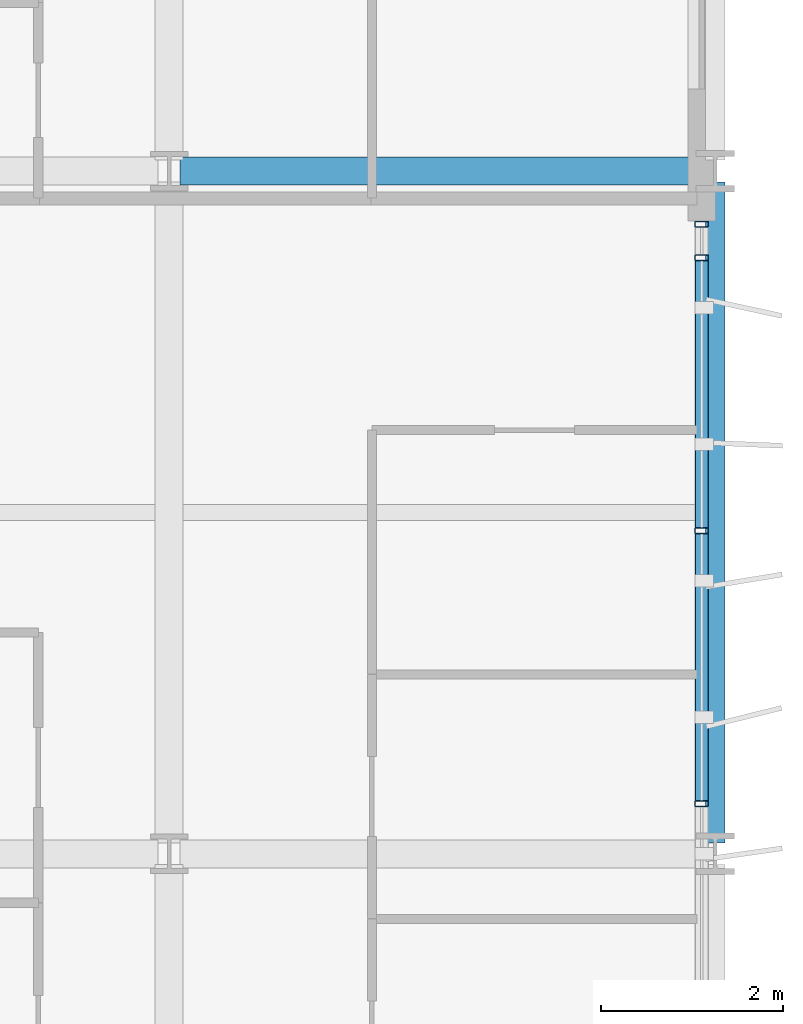
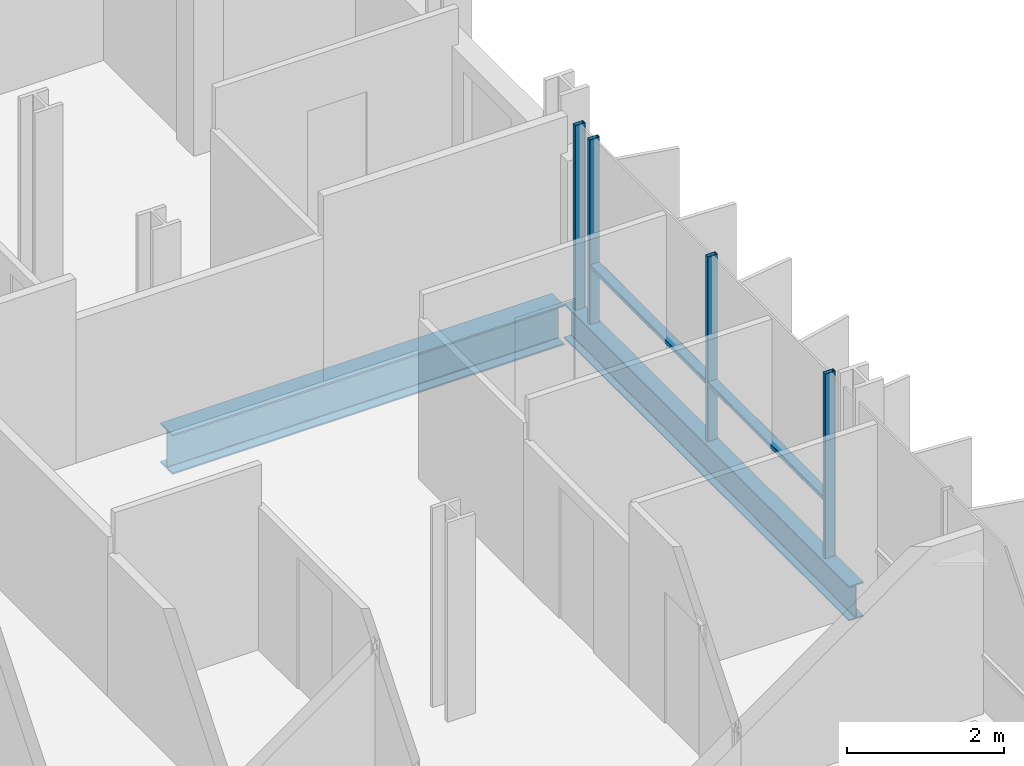
# One storey, part 19 of 38: 6 members, 2 beams, 1 element without a shape of its own.
"""IFC4 building model written with IfcOpenShell, lengths in metres."""

from ifc_helpers import new_model, si_unit, direction, frame, origin, origin_2d, place, context, subcontext, project, spatial, hollow_rectangle, i_section, extrude, material, layer, layer_set, material_profile, profile_set, type_object, element, aggregate, save


model = new_model("IFC4")

# Units and contexts
model_context = context("Model", 3, precision=1e-05, world=origin(), true_north=direction((0.0, 1.0)))
body_context = subcontext(model_context, "Body", "Model", "MODEL_VIEW")
ifc_project = project(units=[si_unit("LENGTHUNIT", "METRE"), si_unit("AREAUNIT", "SQUARE_METRE"), si_unit("VOLUMEUNIT", "CUBIC_METRE"), si_unit("PLANEANGLEUNIT", "RADIAN"), si_unit("MASSUNIT", "GRAM", prefix="KILO")], contexts=[model_context])

# Site, building, storey
site_placement = place(None, origin())
site = spatial("IfcSite", under=ifc_project, at=site_placement, CompositionType="ELEMENT")
building_placement = place(site_placement, origin())
building = spatial("IfcBuilding", under=site, at=building_placement, Name="Brevholm Reach", CompositionType="ELEMENT")
storey_placement = place(building_placement, frame((0.0, 0.0, 71.39990234375)))
storey = spatial("IfcBuildingStorey", under=building, at=storey_placement, Name="L20", CompositionType="ELEMENT", Elevation=71.39990234375)

# Beams
ifc_material_1 = material(Name="Structural Steel S355J2", Category="steel")
ifc_material_profile_1 = material_profile(ifc_material_1, i_section(OverallWidth=0.210693359375, OverallDepth=0.53955078125, WebThickness=0.01171875, FlangeThickness=0.018798828125, FilletRadius=0.0126953125, at=origin_2d()), Name="UKB 533x210x109")
ifc_profile_set_1 = profile_set([ifc_material_profile_1], Name="Structural Steel S355J2")
beam_type_1 = type_object("IfcBeamType", Name="BM-SP539", PredefinedType="SPANDREL", material=ifc_profile_set_1)
beam_1_placement = place(storey_placement, frame((60.0, 16.1201171875, -0.499755859375), z_axis=(0.0, 1.0, 0.0), x_axis=(-1.0, 0.0, 0.0)))
element("IfcBeam", 1, at=beam_1_placement, inside=storey, type_object=beam_type_1, Name="L20 SP-01B Framing Beam", PredefinedType="SPANDREL", context=body_context, shape_type="SweptSolid", body=[
    extrude(i_section(OverallWidth=0.210693359375, OverallDepth=0.53955078125, WebThickness=0.01171875, FlangeThickness=0.018798828125, FilletRadius=0.0126953125, at=origin_2d()), origin(), (0.0, 0.0, 1.0), 7.259765625),
])
ifc_material_2 = material(Name="Structural Steel S355J2", Category="steel")
ifc_material_profile_2 = material_profile(ifc_material_2, i_section(OverallWidth=0.30712890625, OverallDepth=0.6201171875, WebThickness=0.01416015625, FlangeThickness=0.023681640625, FilletRadius=0.0166015625, at=origin_2d()), Name="UKB 610x305x179")
ifc_profile_set_2 = profile_set([ifc_material_profile_2], Name="Structural Steel S355J2")
beam_type_2 = type_object("IfcBeamType", Name="BM-UKB610H", PredefinedType="USERDEFINED", material=ifc_profile_set_2)
beam_2_placement = place(storey_placement, frame((54.1201171875, 23.5, -0.5400390625), z_axis=(1.0, 0.0, 0.0), x_axis=(0.0, 1.0, 0.0)))
element("IfcBeam", 2, at=beam_2_placement, inside=storey, type_object=beam_type_2, Name="L20 G-06 Framing Beam", ObjectType="GIRDER", PredefinedType="USERDEFINED", context=body_context, shape_type="SweptSolid", body=[
    extrude(i_section(OverallWidth=0.30712890625, OverallDepth=0.6201171875, WebThickness=0.01416015625, FlangeThickness=0.023681640625, FilletRadius=0.0166015625, at=origin_2d()), origin(), (0.0, 0.0, 1.0), 5.759765625),
])

# Curtain wall, members
ifc_material_3 = material(Name="Dark Anodised Aluminium 6063-T6 and Solar-Control Glass", Category="aluminium")
ifc_layer = layer(ifc_material_3, 0.14990234375)
ifc_layer_set = layer_set([ifc_layer], Name="Dark Anodised Aluminium 6063-T6 and Solar-Control Glass")
curtain_wall_type = type_object("IfcCurtainWallType", Name="CW-01", PredefinedType="NOTDEFINED", material=ifc_layer_set)
curtain_wall_placement = place(storey_placement, origin())
curtain_wall = element("IfcCurtainWall", 3, at=curtain_wall_placement, inside=storey, type_object=curtain_wall_type, Name="L20 Curtain Wall CW-01", PredefinedType="NOTDEFINED")
ifc_material_4 = material(Name="Dark Anodised Aluminium 6063-T6", Category="aluminium")
ifc_material_profile_3 = material_profile(ifc_material_4, hollow_rectangle(XDim=0.06494140625, YDim=0.14990234375, WallThickness=0.0048828125, InnerFilletRadius=0.0048828125, OuterFilletRadius=0.010009765625, at=origin_2d()), Name="RHS 150x65x5")
ifc_profile_set_3 = profile_set([ifc_material_profile_3], Name="Dark Anodised Aluminium 6063-T6")
member_type_1 = type_object("IfcMemberType", Name="CWM-150", PredefinedType="MULLION", material=ifc_profile_set_3)
member_1_placement = place(storey_placement, frame((59.85009765625, 16.550048828125, 0.0), z_axis=(0.0, 0.0, 1.0), x_axis=(0.0, 1.0, 0.0)))
member_1 = element("IfcMember", 4, at=member_1_placement, type_object=member_type_1, Name="CM-150 Mullion 3", PredefinedType="MULLION", context=body_context, shape_type="SweptSolid", body=[
    extrude(hollow_rectangle(XDim=0.06494140625, YDim=0.14990234375, WallThickness=0.0048828125, InnerFilletRadius=0.0048828125, OuterFilletRadius=0.010009765625, at=origin_2d()), origin(), (0.0, 0.0, 1.0), 2.8701171875),
])
member_2_placement = place(storey_placement, frame((59.85009765625, 19.550048828125, 0.0), z_axis=(0.0, 0.0, 1.0), x_axis=(0.0, 1.0, 0.0)))
member_2 = element("IfcMember", 5, at=member_2_placement, type_object=member_type_1, Name="CM-150 Mullion 4", PredefinedType="MULLION", context=body_context, shape_type="SweptSolid", body=[
    extrude(hollow_rectangle(XDim=0.06494140625, YDim=0.14990234375, WallThickness=0.0048828125, InnerFilletRadius=0.0048828125, OuterFilletRadius=0.010009765625, at=origin_2d()), origin(), (0.0, 0.0, 1.0), 2.8701171875),
])
member_3_placement = place(storey_placement, frame((59.85009765625, 22.550048828125, 0.0), z_axis=(0.0, 0.0, 1.0), x_axis=(0.0, 1.0, 0.0)))
member_3 = element("IfcMember", 6, at=member_3_placement, type_object=member_type_1, Name="CM-150 Mullion 5", PredefinedType="MULLION", context=body_context, shape_type="SweptSolid", body=[
    extrude(hollow_rectangle(XDim=0.06494140625, YDim=0.14990234375, WallThickness=0.0048828125, InnerFilletRadius=0.0048828125, OuterFilletRadius=0.010009765625, at=origin_2d()), origin(), (0.0, 0.0, 1.0), 2.8701171875),
])
member_4_placement = place(storey_placement, frame((59.85009765625, 22.91748046875, 0.0), z_axis=(0.0, 0.0, 1.0), x_axis=(0.0, 1.0, 0.0)))
member_4 = element("IfcMember", 7, at=member_4_placement, type_object=member_type_1, Name="CM-150 Mullion 6", PredefinedType="MULLION", context=body_context, shape_type="SweptSolid", body=[
    extrude(hollow_rectangle(XDim=0.06494140625, YDim=0.14990234375, WallThickness=0.0048828125, InnerFilletRadius=0.0048828125, OuterFilletRadius=0.010009765625, at=origin_2d()), origin(), (0.0, 0.0, 1.0), 2.8701171875),
])
ifc_material_5 = material(Name="Dark Anodised Aluminium 6063-T6", Category="aluminium")
ifc_material_profile_4 = material_profile(ifc_material_5, hollow_rectangle(XDim=0.06494140625, YDim=0.14990234375, WallThickness=0.0048828125, InnerFilletRadius=0.0048828125, OuterFilletRadius=0.010009765625, at=origin_2d()), Name="RHS 150x65x5")
ifc_profile_set_4 = profile_set([ifc_material_profile_4], Name="Dark Anodised Aluminium 6063-T6")
member_type_2 = type_object("IfcMemberType", Name="CWT-150", PredefinedType="NOTDEFINED", material=ifc_profile_set_4)
member_5_placement = place(storey_placement, frame((59.85009765625, 16.58251953125, 0.900146484375), z_axis=(0.0, 1.0, 0.0), x_axis=(0.0, 0.0, 1.0)))
member_5 = element("IfcMember", 8, at=member_5_placement, type_object=member_type_2, Name="CT-150 Transom 3.1", ObjectType="TRANSOM", PredefinedType="USERDEFINED", context=body_context, shape_type="SweptSolid", body=[
    extrude(hollow_rectangle(XDim=0.06494140625, YDim=0.14990234375, WallThickness=0.0048828125, InnerFilletRadius=0.0048828125, OuterFilletRadius=0.010009765625, at=origin_2d()), origin(), (0.0, 0.0, 1.0), 2.93505859375),
])
member_6_placement = place(storey_placement, frame((59.85009765625, 19.58251953125, 0.900146484375), z_axis=(0.0, 1.0, 0.0), x_axis=(0.0, 0.0, 1.0)))
member_6 = element("IfcMember", 9, at=member_6_placement, type_object=member_type_2, Name="CT-150 Transom 4.1", ObjectType="TRANSOM", PredefinedType="USERDEFINED", context=body_context, shape_type="SweptSolid", body=[
    extrude(hollow_rectangle(XDim=0.06494140625, YDim=0.14990234375, WallThickness=0.0048828125, InnerFilletRadius=0.0048828125, OuterFilletRadius=0.010009765625, at=origin_2d()), origin(), (0.0, 0.0, 1.0), 2.93505859375),
])
aggregate(curtain_wall, [member_1, member_2, member_3, member_4, member_5, member_6])

save(model, "model.ifc")
